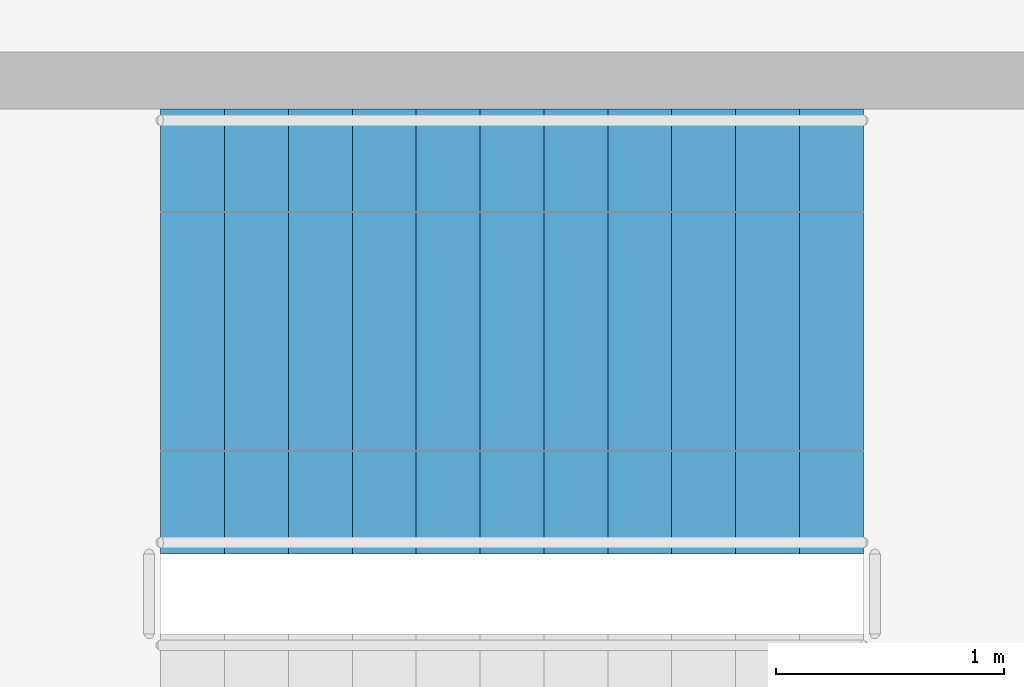
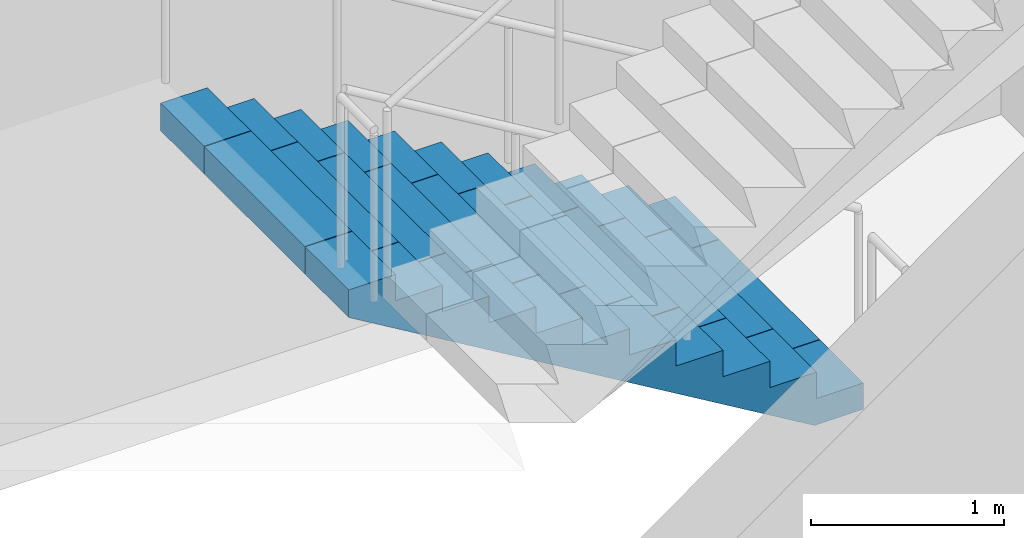
# One storey, part 13 of 15: 1 stair flight, 1 element without a shape of its own.
"""IFC4 building model written with IfcOpenShell, lengths in metres."""

from ifc_helpers import new_model, si_unit, direction, frame, origin, place, context, subcontext, project, spatial, polyline, outline, extrude, material, type_object, element, aggregate, save


model = new_model("IFC4")

# Units and contexts
model_context = context("Model", 3, precision=1e-05, world=origin(), true_north=direction((0.0, 1.0)))
body_context = subcontext(model_context, "Body", "Model", "MODEL_VIEW")
ifc_project = project(units=[si_unit("LENGTHUNIT", "METRE"), si_unit("AREAUNIT", "SQUARE_METRE"), si_unit("VOLUMEUNIT", "CUBIC_METRE"), si_unit("PLANEANGLEUNIT", "RADIAN"), si_unit("MASSUNIT", "GRAM", prefix="KILO")], contexts=[model_context])

# Site, building, storey
site_placement = place(None, origin())
site = spatial("IfcSite", under=ifc_project, at=site_placement, CompositionType="ELEMENT")
building_placement = place(site_placement, origin())
building = spatial("IfcBuilding", under=site, at=building_placement, Name="Corbelhall Arena Tower", CompositionType="ELEMENT")
storey_placement = place(building_placement, frame((0.0, 0.0, 228.0)))
storey = spatial("IfcBuildingStorey", under=building, at=storey_placement, Name="L48", CompositionType="ELEMENT", Elevation=228.0)

# Stair, stair flight
ifc_material = material(Name="Concrete C40/50", Category="concrete")
stair_type = type_object("IfcStairType", Name="IN-ST-TOWER", PredefinedType="HALF_TURN_STAIR", material=ifc_material)
stair_placement = place(storey_placement, origin())
stair = element("IfcStair", 1, at=stair_placement, inside=storey, type_object=stair_type, Name="L48 Exit stair ST3", PredefinedType="HALF_TURN_STAIR")
stair_flight_type = type_object("IfcStairFlightType", Name="IN-SFL-RC", PredefinedType="STRAIGHT", material=ifc_material)
stair_flight_placement = place(storey_placement, frame((11.425048828125, 15.699951171875, 0.0), z_axis=(0.0, 0.0, 1.0), x_axis=(-1.0, 0.0, 0.0)))
stair_flight = element("IfcStairFlight", 2, at=stair_flight_placement, type_object=stair_flight_type, Name="ST3 flight 1", NumberOfRisers=12, NumberOfTreads=11, PredefinedType="STRAIGHT", RiserHeight=0.166666667, TreadLength=0.28, context=body_context, shape_type="SweptSolid", body=[
    extrude(outline(polyline([(0.0, 0.0), (0.0, 0.166748046875), (0.280029296875, 0.166748046875), (0.280029296875, 0.333251953125), (0.56005859375, 0.333251953125), (0.56005859375, 0.5), (0.840087890625, 0.5), (0.840087890625, 0.666748046875), (1.1201171875, 0.666748046875), (1.1201171875, 0.833251953125), (1.39990234375, 0.833251953125), (1.39990234375, 1.0), (1.679931640625, 1.0), (1.679931640625, 1.166748046875), (1.9599609375, 1.166748046875), (1.9599609375, 1.333251953125), (2.239990234375, 1.333251953125), (2.239990234375, 1.5), (2.52001953125, 1.5), (2.52001953125, 1.666748046875), (2.800048828125, 1.666748046875), (2.800048828125, 1.833251953125), (3.080078125, 1.833251953125), (3.080078125, 2.0), (3.080078125, 1.658935546875), (0.29296875, 0.0), (0.0, 0.0)])), frame((0.0, 0.97509765625, 0.0), z_axis=(0.0, -1.0, 0.0), x_axis=(1.0, 0.0, 0.0)), (0.0, 0.0, 1.0), 0.449951171875),
    extrude(outline(polyline([(0.0, 0.0), (0.0, 0.166748046875), (0.280029296875, 0.166748046875), (0.280029296875, 0.333251953125), (0.56005859375, 0.333251953125), (0.56005859375, 0.5), (0.840087890625, 0.5), (0.840087890625, 0.666748046875), (1.1201171875, 0.666748046875), (1.1201171875, 0.833251953125), (1.39990234375, 0.833251953125), (1.39990234375, 1.0), (1.679931640625, 1.0), (1.679931640625, 1.166748046875), (1.9599609375, 1.166748046875), (1.9599609375, 1.333251953125), (2.239990234375, 1.333251953125), (2.239990234375, 1.5), (2.52001953125, 1.5), (2.52001953125, 1.666748046875), (2.800048828125, 1.666748046875), (2.800048828125, 1.833251953125), (3.080078125, 1.833251953125), (3.080078125, 2.0), (3.080078125, 1.658935546875), (0.29296875, 0.0), (0.0, 0.0)])), frame((0.0, 0.52099609375, 0.0), z_axis=(0.0, -1.0, 0.0), x_axis=(1.0, 0.0, 0.0)), (0.0, 0.0, 1.0), 1.0419921875),
    extrude(outline(polyline([(0.0, 0.0), (0.0, 0.166748046875), (0.280029296875, 0.166748046875), (0.280029296875, 0.333251953125), (0.56005859375, 0.333251953125), (0.56005859375, 0.5), (0.840087890625, 0.5), (0.840087890625, 0.666748046875), (1.1201171875, 0.666748046875), (1.1201171875, 0.833251953125), (1.39990234375, 0.833251953125), (1.39990234375, 1.0), (1.679931640625, 1.0), (1.679931640625, 1.166748046875), (1.9599609375, 1.166748046875), (1.9599609375, 1.333251953125), (2.239990234375, 1.333251953125), (2.239990234375, 1.5), (2.52001953125, 1.5), (2.52001953125, 1.666748046875), (2.800048828125, 1.666748046875), (2.800048828125, 1.833251953125), (3.080078125, 1.833251953125), (3.080078125, 2.0), (3.080078125, 1.658935546875), (0.29296875, 0.0), (0.0, 0.0)])), frame((0.0, -0.52490234375, 0.0), z_axis=(0.0, -1.0, 0.0), x_axis=(1.0, 0.0, 0.0)), (0.0, 0.0, 1.0), 0.449951171875),
])
aggregate(stair, [stair_flight])

save(model, "model.ifc")
